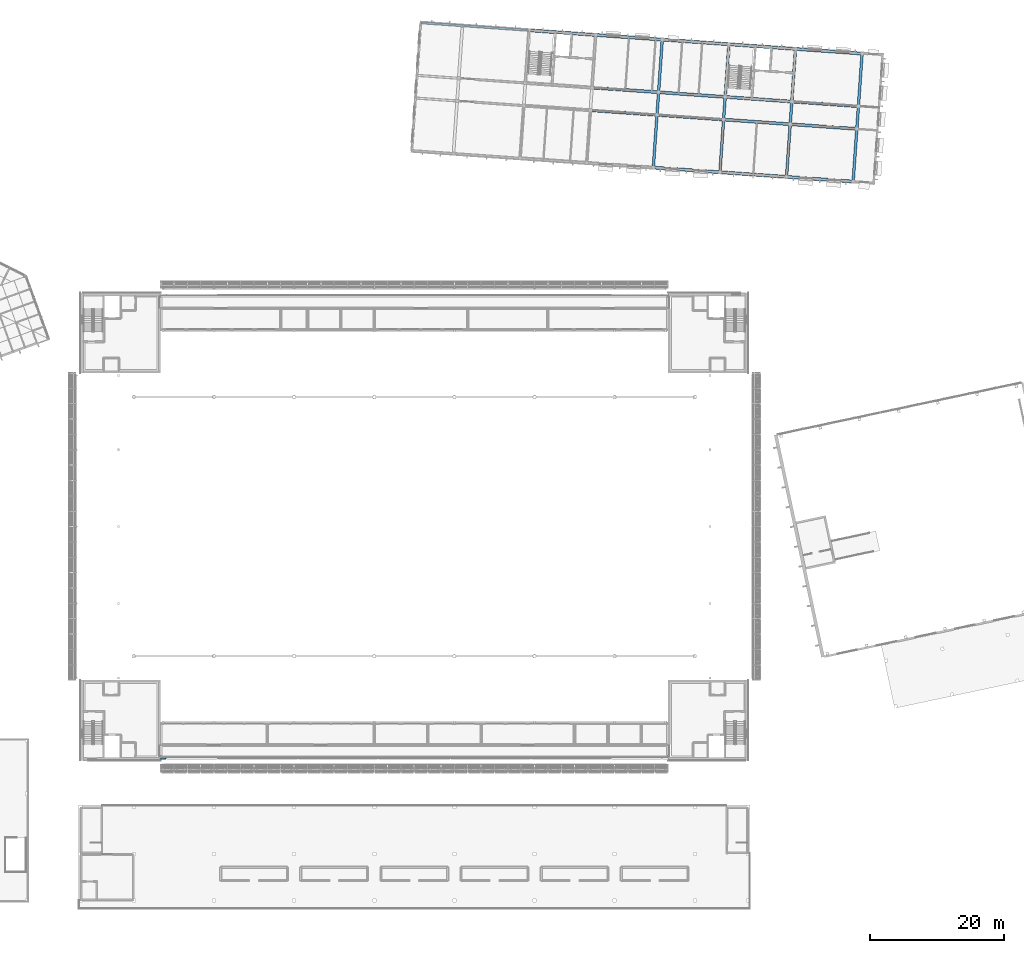
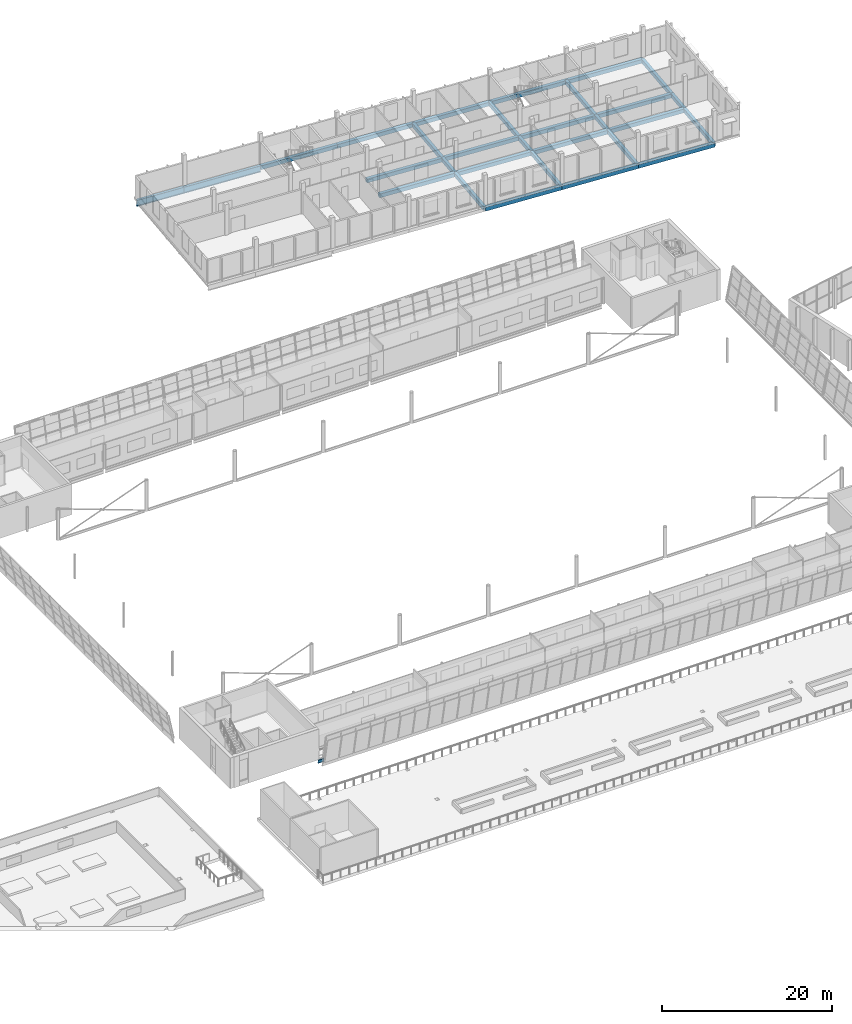
# One storey, part 35 of 95: 31 beams.
"""IFC4 building model written with IfcOpenShell, lengths in metres."""

import ifcopenshell
import ifcopenshell.guid

model = None  # the IFC model being written
_history = None  # IfcOwnerHistory: only IFC2X3 demands one
_inside = {}  # id of a spatial element -> (the spatial element, [elements in it])
_under = {}  # id of a project, library or spatial element -> (it, [spatial elements below it])
_declared = {}  # id of a project -> (the project, [libraries it declares])
_typed = {}  # id of a type object -> (the type object, [elements of that type])
_made_of = {}  # id of a material, layer set ... -> (it, [elements and type objects made of it])


def new_model(schema):
    """Start an empty IFC model of exactly this schema.

    Asked for "IFC4X3", IfcOpenShell would pick the latest addendum, in which some entities
    have other attributes; the version numbers below select the first issue.
    IFC2X3 requires an IfcOwnerHistory on every rooted entity: one is made here for all.
    """
    global model, _history
    if schema == "IFC4X3":
        model = ifcopenshell.file(schema_version=(4, 3, 0, 0))
    else:
        model = ifcopenshell.file(schema=schema)
    _inside.clear()
    _under.clear()
    _declared.clear()
    _typed.clear()
    _made_of.clear()
    _history = None
    if model.schema == "IFC2X3":
        org = make("IfcOrganization", Name="unknown")
        user = make(
            "IfcPersonAndOrganization",
            ThePerson=make("IfcPerson", FamilyName="unknown"),
            TheOrganization=org,
        )
        app = make(
            "IfcApplication",
            ApplicationDeveloper=org,
            Version="unknown",
            ApplicationFullName="unknown",
            ApplicationIdentifier="unknown",
        )
        _history = make(
            "IfcOwnerHistory",
            OwningUser=user,
            OwningApplication=app,
            ChangeAction="ADDED",
            CreationDate=0,
        )
    return model


def make(cls, **values):
    """One entity of the class cls with the attributes given. An attribute that is None is left unset."""
    return model.create_entity(
        cls, **{name: value for name, value in values.items() if value is not None}
    )


def rooted(cls, **values):
    """An entity with a GlobalId (a new one), such as an element, a storey or a relation."""
    return make(cls, GlobalId=ifcopenshell.guid.new(), OwnerHistory=_history, **values)


def si_unit(unit_type, name, prefix=None):
    """IfcSIUnit, for example si_unit("LENGTHUNIT", "METRE", prefix="MILLI")."""
    return make("IfcSIUnit", UnitType=unit_type, Prefix=prefix, Name=name)


def assignment(units):
    """IfcUnitAssignment: the units of a project."""
    return None if units is None else make("IfcUnitAssignment", Units=units)


def point(xyz):
    """IfcCartesianPoint."""
    return None if xyz is None else make("IfcCartesianPoint", Coordinates=xyz)


def direction(xyz):
    """IfcDirection."""
    return None if xyz is None else make("IfcDirection", DirectionRatios=xyz)


def frame(location, z_axis=None, x_axis=None):
    """IfcAxis2Placement3D, a coordinate frame: its origin and axes. An axis left out is left unset."""
    return make(
        "IfcAxis2Placement3D",
        Location=point(location),
        Axis=direction(z_axis),
        RefDirection=direction(x_axis),
    )


def frame_2d(location, x_axis=None):
    """IfcAxis2Placement2D, a coordinate frame in the plane: its origin and x axis."""
    return make(
        "IfcAxis2Placement2D", Location=point(location), RefDirection=direction(x_axis)
    )


def origin():
    """The frame at (0, 0, 0) with its axes left unset."""
    return frame((0.0, 0.0, 0.0))


def origin_2d():
    """The frame at (0, 0) in the plane with its x axis left unset."""
    return frame_2d((0.0, 0.0))


def place(relative_to, where):
    """IfcLocalPlacement: puts the frame where relative to a parent placement (None: the world)."""
    return make(
        "IfcLocalPlacement", PlacementRelTo=relative_to, RelativePlacement=where
    )


def context(
    kind, dimensions, precision=None, world=None, true_north=None, identifier=None
):
    """IfcGeometricRepresentationContext, for example the 3D "Model" context."""
    return make(
        "IfcGeometricRepresentationContext",
        ContextIdentifier=identifier,
        ContextType=kind,
        CoordinateSpaceDimension=dimensions,
        Precision=precision,
        WorldCoordinateSystem=world,
        TrueNorth=true_north,
    )


def subcontext(parent, identifier, kind, view, scale=None):
    """IfcGeometricRepresentationSubContext, for example "Body" below "Model"."""
    return make(
        "IfcGeometricRepresentationSubContext",
        ContextIdentifier=identifier,
        ContextType=kind,
        ParentContext=parent,
        TargetScale=scale,
        TargetView=view,
    )


def project(units=None, contexts=None):
    """IfcProject with its units and contexts."""
    return rooted(
        "IfcProject",
        Name="project",
        RepresentationContexts=contexts,
        UnitsInContext=assignment(units),
    )


def spatial(cls, under=None, at=None, **own):
    """A site, building, storey or space (cls), placed at a placement, below another one or the project."""
    s = rooted(cls, ObjectPlacement=at, **own)
    if under is not None:
        _under.setdefault(under.id(), (under, []))[1].append(s)
    return s


def profile(cls, at=None, kind="AREA", **sizes):
    """A parametric profile (cls). Its sizes go by their IFC names, for example OverallWidth=200.0."""
    return make(cls, ProfileType=kind, Position=at, **sizes)


def rectangle(**sizes):
    """IfcRectangleProfileDef."""
    return profile("IfcRectangleProfileDef", **sizes)


def i_section(**sizes):
    """IfcIShapeProfileDef."""
    return profile("IfcIShapeProfileDef", **sizes)


def extrude(swept, where, along, depth):
    """IfcExtrudedAreaSolid: the profile swept, set in the frame where, extruded along a direction by depth."""
    return make(
        "IfcExtrudedAreaSolid",
        SweptArea=swept,
        Position=where,
        ExtrudedDirection=direction(along),
        Depth=depth,
    )


def shape(context_of_items, identifier, shape_type, items):
    """IfcShapeRepresentation: the items that make up one representation, for example the "Body"."""
    return make(
        "IfcShapeRepresentation",
        ContextOfItems=context_of_items,
        RepresentationIdentifier=identifier,
        RepresentationType=shape_type,
        Items=items,
    )


def material(Name=None, Category=None):
    """IfcMaterial."""
    return make("IfcMaterial", Name=Name, Category=Category)


def material_profile(
    of_material, cross_section, Name=None, Category=None, Priority=None
):
    """IfcMaterialProfile: a cross section and its material."""
    return make(
        "IfcMaterialProfile",
        Name=Name,
        Material=of_material,
        Profile=cross_section,
        Priority=Priority,
        Category=Category,
    )


def profile_set(profiles, Name=None, composite=None):
    """IfcMaterialProfileSet."""
    return make(
        "IfcMaterialProfileSet",
        Name=Name,
        MaterialProfiles=profiles,
        CompositeProfile=composite,
    )


def made_of(thing, what):
    """Note that an element or type object is made of a material, layer set ...; save() writes the relation."""
    if what is not None:
        _made_of.setdefault(what.id(), (what, []))[1].append(thing)
    return thing


def type_object(cls, material=None, **own):
    """A type object (cls), such as IfcWallType, which elements share."""
    return made_of(rooted(cls, **own), material)


def element(
    cls,
    number,
    at=None,
    inside=None,
    cuts=None,
    type_object=None,
    material=None,
    context=None,
    identifier="Body",
    shape_type=None,
    held_by="IfcProductDefinitionShape",
    body=None,
    shapes=None,
    **own,
):
    """One element of the class cls, such as IfcWall. Its Tag is "e" and its number.

    at: its placement. inside: the storey or other place that contains it. cuts: it is an
    opening in that element (IfcRelVoidsElement). A single representation is given by context,
    identifier, shape_type and body (its items); several are given by shapes. held_by: the class
    of the entity that holds the representations. save() writes the other relations.
    """
    e = rooted(cls, Tag="e%d" % number, ObjectPlacement=at, **own)
    if body is not None:
        shapes = [shape(context, identifier, shape_type, body)]
    if shapes is not None:
        e.Representation = make(held_by, Representations=shapes)
    if inside is not None:
        _inside.setdefault(inside.id(), (inside, []))[1].append(e)
    if cuts is not None:
        rooted(
            "IfcRelVoidsElement", RelatingBuildingElement=cuts, RelatedOpeningElement=e
        )
    if type_object is not None:
        _typed.setdefault(type_object.id(), (type_object, []))[1].append(e)
    return made_of(e, material)


def aggregate(whole, parts):
    """IfcRelAggregates: a whole, such as a stair, and the parts it consists of."""
    return rooted("IfcRelAggregates", RelatingObject=whole, RelatedObjects=parts)


def save(model, path):
    """Write the relations noted so far, then the file.

    IfcRelAggregates (storeys below a building ...), IfcRelContainedInSpatialStructure (elements
    in a storey), IfcRelDefinesByType, IfcRelAssociatesMaterial and IfcRelDeclares: one each for
    every whole, place, type object, material and project.
    """
    for whole, parts in _under.values():
        aggregate(whole, parts)
    for where, things in _inside.values():
        rooted(
            "IfcRelContainedInSpatialStructure",
            RelatedElements=things,
            RelatingStructure=where,
        )
    for kind, things in _typed.values():
        rooted("IfcRelDefinesByType", RelatedObjects=things, RelatingType=kind)
    for what, things in _made_of.values():
        rooted("IfcRelAssociatesMaterial", RelatedObjects=things, RelatingMaterial=what)
    for by, libraries in _declared.values():
        rooted("IfcRelDeclares", RelatingContext=by, RelatedDefinitions=libraries)
    model.write(path)


model = new_model("IFC4")

# Units and contexts
model_context = context("Model", 3, precision=1e-05, world=origin(), true_north=direction((0.0, 1.0)))
body_context = subcontext(model_context, "Body", "Model", "MODEL_VIEW")
ifc_project = project(units=[si_unit("LENGTHUNIT", "METRE"), si_unit("AREAUNIT", "SQUARE_METRE"), si_unit("VOLUMEUNIT", "CUBIC_METRE"), si_unit("PLANEANGLEUNIT", "RADIAN"), si_unit("MASSUNIT", "GRAM", prefix="KILO")], contexts=[model_context])

# Site, building, storey
site_placement = place(None, origin())
site = spatial("IfcSite", under=ifc_project, at=site_placement, CompositionType="ELEMENT")
building_placement = place(site_placement, origin())
building = spatial("IfcBuilding", under=site, at=building_placement, Name="Windward Yard Aquatics Centre", CompositionType="ELEMENT")
storey_placement = place(building_placement, frame((0.0, 0.0, 9.39990234375)))
storey = spatial("IfcBuildingStorey", under=building, at=storey_placement, Name="L02", CompositionType="ELEMENT", Elevation=9.39990234375)

# Beams
ifc_material_1 = material(Name="Steel ASTM A992 Gr 50", Category="steel")
ifc_material_profile_1 = material_profile(ifc_material_1, i_section(OverallWidth=0.19091796875, OverallDepth=0.45703125, WebThickness=0.009033203125, FlangeThickness=0.014404296875, at=origin_2d()), Name="W460X74")
ifc_profile_set_1 = profile_set([ifc_material_profile_1], Name="Steel ASTM A992 Gr 50")
beam_type_1 = type_object("IfcBeamType", Name="H gallery edge beam W460X74", PredefinedType="BEAM", material=ifc_profile_set_1)
beam_1_placement = place(storey_placement, frame((64.0, 26.22509765625, -0.428466796875), z_axis=(1.0, 0.0, 0.0), x_axis=(0.0, 1.0, 0.0)))
element("IfcBeam", 1, at=beam_1_placement, inside=storey, type_object=beam_type_1, Name="H.GB.S.O1", PredefinedType="BEAM", context=body_context, shape_type="SweptSolid", body=[
    extrude(i_section(OverallWidth=0.19091796875, OverallDepth=0.45703125, WebThickness=0.009033203125, FlangeThickness=0.014404296875, at=origin_2d()), origin(), (0.0, 0.0, 1.0), 0.82373046875),
])
ifc_material_2 = material(Name="Concrete C40/50", Category="concrete")
ifc_material_profile_2 = material_profile(ifc_material_2, rectangle(XDim=0.39990234375, YDim=0.550048828125, at=origin_2d()), Name="RC 400x550")
ifc_profile_set_2 = profile_set([ifc_material_profile_2], Name="Concrete C40/50")
beam_type_2 = type_object("IfcBeamType", Name="W RC 400x550 beam Concrete C40/50", PredefinedType="BEAM", material=ifc_profile_set_2)
beam_2_placement = place(storey_placement, frame((137.7900390625, 114.7724609375, -0.554931640625), z_axis=(0.069779923244, 0.997562410234, 0.0), x_axis=(-0.997562410234, 0.069779923244, 0.0)))
element("IfcBeam", 2, at=beam_2_placement, inside=storey, type_object=beam_type_2, Name="W.BV.L02.4.A", PredefinedType="BEAM", context=body_context, shape_type="SweptSolid", body=[
    extrude(rectangle(XDim=0.39990234375, YDim=0.550048828125, at=origin_2d()), origin(), (0.0, 0.0, 1.0), 7.900146484375),
])
beam_3_placement = place(storey_placement, frame((138.34130859375, 122.6533203125, -0.554931640625), z_axis=(0.069726227042, 0.997566164854, 0.0), x_axis=(-0.997566164854, 0.069726227042, 0.0)))
element("IfcBeam", 3, at=beam_3_placement, inside=storey, type_object=beam_type_2, Name="W.BV.L02.4.B", PredefinedType="BEAM", context=body_context, shape_type="SweptSolid", body=[
    extrude(rectangle(XDim=0.39990234375, YDim=0.550048828125, at=origin_2d()), origin(), (0.0, 0.0, 1.0), 3.39990234375),
])
beam_4_placement = place(storey_placement, frame((138.578369140625, 126.044921875, -0.554931640625), z_axis=(0.069751320509, 0.997564410596, 0.0), x_axis=(-0.997564410596, 0.069751320509, 0.0)))
element("IfcBeam", 4, at=beam_4_placement, inside=storey, type_object=beam_type_2, Name="W.BV.L02.4.C", PredefinedType="BEAM", context=body_context, shape_type="SweptSolid", body=[
    extrude(rectangle(XDim=0.39990234375, YDim=0.550048828125, at=origin_2d()), origin(), (0.0, 0.0, 1.0), 7.89990234375),
])
beam_5_placement = place(storey_placement, frame((147.765869140625, 114.07470703125, -0.554931640625), z_axis=(0.0697491702, 0.997564560947, 0.0), x_axis=(-0.997564560947, 0.0697491702, 0.0)))
element("IfcBeam", 5, at=beam_5_placement, inside=storey, type_object=beam_type_2, Name="W.BV.L02.5.A", PredefinedType="BEAM", context=body_context, shape_type="SweptSolid", body=[
    extrude(rectangle(XDim=0.39990234375, YDim=0.550048828125, at=origin_2d()), origin(), (0.0, 0.0, 1.0), 7.900146484375),
])
beam_6_placement = place(storey_placement, frame((148.31689453125, 121.95556640625, -0.554931640625), z_axis=(0.069721232637, 0.997566513933, 0.0), x_axis=(-0.997566513933, 0.069721232637, 0.0)))
element("IfcBeam", 6, at=beam_6_placement, inside=storey, type_object=beam_type_2, Name="W.BV.L02.5.B", PredefinedType="BEAM", context=body_context, shape_type="SweptSolid", body=[
    extrude(rectangle(XDim=0.39990234375, YDim=0.550048828125, at=origin_2d()), origin(), (0.0, 0.0, 1.0), 3.400146484375),
])
beam_7_placement = place(storey_placement, frame((148.553955078125, 125.347412109375, -0.554931640625), z_axis=(0.069751320509, 0.997564410596, 0.0), x_axis=(-0.997564410596, 0.069751320509, 0.0)))
element("IfcBeam", 7, at=beam_7_placement, inside=storey, type_object=beam_type_2, Name="W.BV.L02.5.C", PredefinedType="BEAM", context=body_context, shape_type="SweptSolid", body=[
    extrude(rectangle(XDim=0.39990234375, YDim=0.550048828125, at=origin_2d()), origin(), (0.0, 0.0, 1.0), 7.89990234375),
])
beam_8_placement = place(storey_placement, frame((157.741455078125, 113.377197265625, -0.554931640625), z_axis=(0.0697491702, 0.997564560947, 0.0), x_axis=(-0.997564560947, 0.0697491702, 0.0)))
element("IfcBeam", 8, at=beam_8_placement, inside=storey, type_object=beam_type_2, Name="W.BV.L02.6.A", PredefinedType="BEAM", context=body_context, shape_type="SweptSolid", body=[
    extrude(rectangle(XDim=0.39990234375, YDim=0.550048828125, at=origin_2d()), origin(), (0.0, 0.0, 1.0), 7.900146484375),
])
beam_9_placement = place(storey_placement, frame((158.29248046875, 121.258056640625, -0.554931640625), z_axis=(0.069797686069, 0.997561167558, 0.0), x_axis=(-0.997561167558, 0.069797686069, 0.0)))
element("IfcBeam", 9, at=beam_9_placement, inside=storey, type_object=beam_type_2, Name="W.BV.L02.6.B", PredefinedType="BEAM", context=body_context, shape_type="SweptSolid", body=[
    extrude(rectangle(XDim=0.39990234375, YDim=0.550048828125, at=origin_2d()), origin(), (0.0, 0.0, 1.0), 3.39990234375),
])
for number, where, z_axis, x_axis, name in (
    (10, (158.52978515625, 124.649658203125, -0.554931640625), (0.0697491702, 0.997564560947, 0.0), (-0.997564560947, 0.0697491702, 0.0), "W.BV.L02.6.C"),
    (11, (167.717041015625, 112.6796875, -0.554931640625), (0.0697491702, 0.997564560947, 0.0), (-0.997564560947, 0.0697491702, 0.0), "W.BV.L02.7.A"),
):
    element("IfcBeam", number, at=place(storey_placement, frame(where, z_axis=z_axis, x_axis=x_axis)), inside=storey, type_object=beam_type_2, Name=name, PredefinedType="BEAM", context=body_context, shape_type="SweptSolid", body=[
        extrude(rectangle(XDim=0.39990234375, YDim=0.550048828125, at=origin_2d()), origin(), (0.0, 0.0, 1.0), 7.900146484375),
    ])
beam_10_placement = place(storey_placement, frame((168.26806640625, 120.560546875, -0.554931640625), z_axis=(0.069797686069, 0.997561167558, 0.0), x_axis=(-0.997561167558, 0.069797686069, 0.0)))
element("IfcBeam", 12, at=beam_10_placement, inside=storey, type_object=beam_type_2, Name="W.BV.L02.7.B", PredefinedType="BEAM", context=body_context, shape_type="SweptSolid", body=[
    extrude(rectangle(XDim=0.39990234375, YDim=0.550048828125, at=origin_2d()), origin(), (0.0, 0.0, 1.0), 3.39990234375),
])
beam_11_placement = place(storey_placement, frame((168.50537109375, 123.9521484375, -0.554931640625), z_axis=(0.0697491702, 0.997564560947, 0.0), x_axis=(-0.997564560947, 0.0697491702, 0.0)))
element("IfcBeam", 13, at=beam_11_placement, inside=storey, type_object=beam_type_2, Name="W.BV.L02.7.C", PredefinedType="BEAM", context=body_context, shape_type="SweptSolid", body=[
    extrude(rectangle(XDim=0.39990234375, YDim=0.550048828125, at=origin_2d()), origin(), (0.0, 0.0, 1.0), 7.900146484375),
])
ifc_material_profile_3 = material_profile(ifc_material_2, rectangle(XDim=0.449951171875, YDim=0.550048828125, at=origin_2d()), Name="RC 450x550")
ifc_profile_set_3 = profile_set([ifc_material_profile_3], Name="Concrete C40/50")
beam_type_3 = type_object("IfcBeamType", Name="W RC 450x550 beam Concrete C40/50", PredefinedType="BEAM", material=ifc_profile_set_3)
beam_12_placement = place(storey_placement, frame((137.7900390625, 114.7724609375, -0.554931640625), z_axis=(0.997562826017, -0.069773979021, 0.0), x_axis=(0.069773979021, 0.997562826017, 0.0)))
element("IfcBeam", 14, at=beam_12_placement, inside=storey, type_object=beam_type_3, Name="W.BU.L02.1.4", PredefinedType="BEAM", context=body_context, shape_type="SweptSolid", body=[
    extrude(rectangle(XDim=0.449951171875, YDim=0.550048828125, at=origin_2d()), origin(), (0.0, 0.0, 1.0), 10.000244140625),
])
for number, where, z_axis, x_axis, name in (
    (15, (147.765869140625, 114.07470703125, -0.554931640625), (0.997564406228, -0.069751382981, 0.0), (0.069751382981, 0.997564406228, 0.0), "W.BU.L02.1.5"),
    (16, (157.741455078125, 113.377197265625, -0.554931640625), (0.997564406228, -0.069751382981, 0.0), (0.069751382981, 0.997564406228, 0.0), "W.BU.L02.1.6"),
):
    element("IfcBeam", number, at=place(storey_placement, frame(where, z_axis=z_axis, x_axis=x_axis)), inside=storey, type_object=beam_type_3, Name=name, PredefinedType="BEAM", context=body_context, shape_type="SweptSolid", body=[
        extrude(rectangle(XDim=0.449951171875, YDim=0.550048828125, at=origin_2d()), origin(), (0.0, 0.0, 1.0), 10.0),
    ])
beam_13_placement = place(storey_placement, frame((128.365478515625, 123.3505859375, -0.554931640625), z_axis=(0.997566223406, -0.069725389346, 0.0), x_axis=(0.069725389346, 0.997566223406, 0.0)))
element("IfcBeam", 17, at=beam_13_placement, inside=storey, type_object=beam_type_3, Name="W.BU.L02.2.3", PredefinedType="BEAM", context=body_context, shape_type="SweptSolid", body=[
    extrude(rectangle(XDim=0.449951171875, YDim=0.550048828125, at=origin_2d()), origin(), (0.0, 0.0, 1.0), 10.000244140625),
])
for number, where, z_axis, x_axis, name in (
    (18, (138.34130859375, 122.6533203125, -0.554931640625), (0.997562707158, -0.069775678342, 0.0), (0.069775678342, 0.997562707158, 0.0), "W.BU.L02.2.4"),
    (19, (148.31689453125, 121.95556640625, -0.554931640625), (0.997564406228, -0.069751382981, 0.0), (0.069751382981, 0.997564406228, 0.0), "W.BU.L02.2.5"),
    (20, (158.29248046875, 121.258056640625, -0.554931640625), (0.997564406228, -0.069751382981, 0.0), (0.069751382981, 0.997564406228, 0.0), "W.BU.L02.2.6"),
    (21, (128.602783203125, 126.742431640625, -0.554931640625), (0.997564406228, -0.069751382981, 0.0), (0.069751382981, 0.997564406228, 0.0), "W.BU.L02.3.3"),
    (22, (138.578369140625, 126.044921875, -0.554931640625), (0.997564406228, -0.069751382981, 0.0), (0.069751382981, 0.997564406228, 0.0), "W.BU.L02.3.4"),
):
    element("IfcBeam", number, at=place(storey_placement, frame(where, z_axis=z_axis, x_axis=x_axis)), inside=storey, type_object=beam_type_3, Name=name, PredefinedType="BEAM", context=body_context, shape_type="SweptSolid", body=[
        extrude(rectangle(XDim=0.449951171875, YDim=0.550048828125, at=origin_2d()), origin(), (0.0, 0.0, 1.0), 10.0),
    ])
beam_14_placement = place(storey_placement, frame((148.553955078125, 125.347412109375, -0.554931640625), z_axis=(0.997562826017, -0.069773979021, 0.0), x_axis=(0.069773979021, 0.997562826017, 0.0)))
element("IfcBeam", 23, at=beam_14_placement, inside=storey, type_object=beam_type_3, Name="W.BU.L02.3.5", PredefinedType="BEAM", context=body_context, shape_type="SweptSolid", body=[
    extrude(rectangle(XDim=0.449951171875, YDim=0.550048828125, at=origin_2d()), origin(), (0.0, 0.0, 1.0), 10.000244140625),
])
for number, where, z_axis, x_axis, name in (
    (24, (158.52978515625, 124.649658203125, -0.554931640625), (0.997564406228, -0.069751382981, 0.0), (0.069751382981, 0.997564406228, 0.0), "W.BU.L02.3.6"),
    (25, (119.17822265625, 135.32080078125, -0.554931640625), (0.997564406228, -0.069751382981, 0.0), (0.069751382981, 0.997564406228, 0.0), "W.BU.L02.4.2"),
    (26, (129.15380859375, 134.623291015625, -0.554931640625), (0.997562707158, -0.069775678342, 0.0), (0.069775678342, 0.997562707158, 0.0), "W.BU.L02.4.3"),
    (27, (139.12939453125, 133.925537109375, -0.554931640625), (0.997564406228, -0.069751382981, 0.0), (0.069751382981, 0.997564406228, 0.0), "W.BU.L02.4.4"),
):
    element("IfcBeam", number, at=place(storey_placement, frame(where, z_axis=z_axis, x_axis=x_axis)), inside=storey, type_object=beam_type_3, Name=name, PredefinedType="BEAM", context=body_context, shape_type="SweptSolid", body=[
        extrude(rectangle(XDim=0.449951171875, YDim=0.550048828125, at=origin_2d()), origin(), (0.0, 0.0, 1.0), 10.0),
    ])
beam_15_placement = place(storey_placement, frame((149.10498046875, 133.22802734375, -0.554931640625), z_axis=(0.997564525005, -0.069749684245, 0.0), x_axis=(0.069749684245, 0.997564525005, 0.0)))
element("IfcBeam", 28, at=beam_15_placement, inside=storey, type_object=beam_type_3, Name="W.BU.L02.4.5", PredefinedType="BEAM", context=body_context, shape_type="SweptSolid", body=[
    extrude(rectangle(XDim=0.449951171875, YDim=0.550048828125, at=origin_2d()), origin(), (0.0, 0.0, 1.0), 10.000244140625),
])
beam_16_placement = place(storey_placement, frame((159.080810546875, 132.530517578125, -0.554931640625), z_axis=(0.997564406228, -0.069751382981, 0.0), x_axis=(0.069751382981, 0.997564406228, 0.0)))
element("IfcBeam", 29, at=beam_16_placement, inside=storey, type_object=beam_type_3, Name="W.BU.L02.4.6", PredefinedType="BEAM", context=body_context, shape_type="SweptSolid", body=[
    extrude(rectangle(XDim=0.449951171875, YDim=0.550048828125, at=origin_2d()), origin(), (0.0, 0.0, 1.0), 10.0),
])
ifc_material_3 = material(Name="Steel S355", Category="steel")
ifc_material_profile_4 = material_profile(ifc_material_3, i_section(OverallWidth=0.304931640625, OverallDepth=0.9140625, WebThickness=0.0166015625, FlangeThickness=0.02587890625, at=origin_2d()), Name="W920x238")
ifc_profile_set_4 = profile_set([ifc_material_profile_4], Name="Steel S355")
beam_type_4 = type_object("IfcBeamType", Name="W W920x238 beam", PredefinedType="BEAM", material=ifc_profile_set_4)
beam_17_placement = place(storey_placement, frame((103.017578125, 136.45068359375, -0.73681640625), z_axis=(0.997565299424, -0.069738607559, 0.0), x_axis=(0.069738607559, 0.997565299424, 0.0)))
element("IfcBeam", 30, at=beam_17_placement, inside=storey, type_object=beam_type_4, Name="W.BC.L02.4", PredefinedType="BEAM", context=body_context, shape_type="SweptSolid", body=[
    extrude(i_section(OverallWidth=0.304931640625, OverallDepth=0.9140625, WebThickness=0.0166015625, FlangeThickness=0.02587890625, at=origin_2d()), origin(), (0.0, 0.0, 1.0), 6.199951171875),
])
beam_18_placement = place(storey_placement, frame((109.202392578125, 136.018310546875, -0.73681640625), z_axis=(0.997564525005, -0.069749684245, 0.0), x_axis=(0.069749684245, 0.997564525005, 0.0)))
element("IfcBeam", 31, at=beam_18_placement, inside=storey, type_object=beam_type_4, Name="W.BB.L02.4", PredefinedType="BEAM", context=body_context, shape_type="SweptSolid", body=[
    extrude(i_section(OverallWidth=0.304931640625, OverallDepth=0.9140625, WebThickness=0.0166015625, FlangeThickness=0.02587890625, at=origin_2d()), origin(), (0.0, 0.0, 1.0), 10.000244140625),
])

save(model, "model.ifc")
